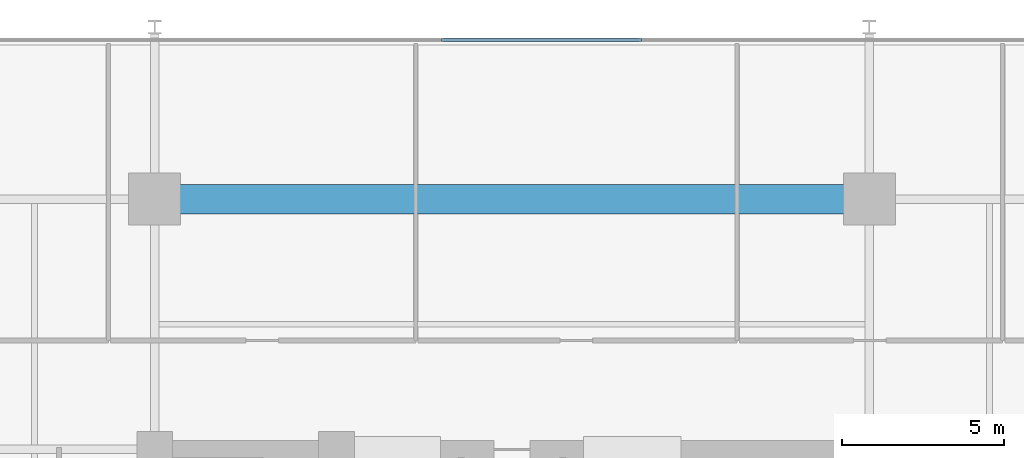
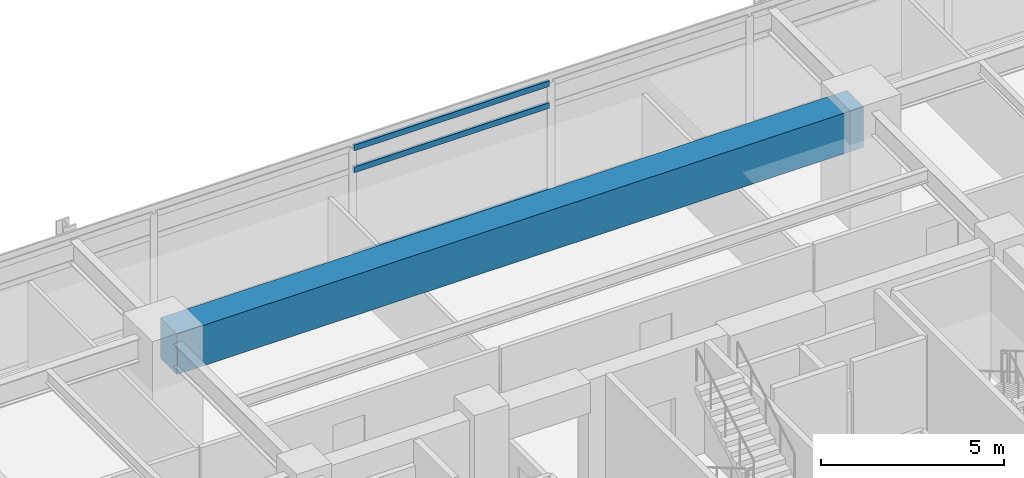
# One storey, part 9 of 22: 3 members, 1 beam, 1 element without a shape of its own.
"""IFC4 building model written with IfcOpenShell, lengths in metres."""

from ifc_helpers import new_model, si_unit, direction, frame, origin, origin_2d, place, context, subcontext, project, spatial, rectangle, hollow_rectangle, extrude, material, material_profile, profile_set, type_object, element, aggregate, save


model = new_model("IFC4")

# Units and contexts
model_context = context("Model", 3, precision=1e-05, world=origin(), true_north=direction((0.0, 1.0)))
body_context = subcontext(model_context, "Body", "Model", "MODEL_VIEW")
ifc_project = project(units=[si_unit("LENGTHUNIT", "METRE"), si_unit("AREAUNIT", "SQUARE_METRE"), si_unit("VOLUMEUNIT", "CUBIC_METRE"), si_unit("PLANEANGLEUNIT", "RADIAN"), si_unit("MASSUNIT", "GRAM", prefix="KILO")], contexts=[model_context])

# Site, building, storey
site_placement = place(None, origin())
site = spatial("IfcSite", under=ifc_project, at=site_placement, CompositionType="ELEMENT")
building_placement = place(site_placement, origin())
building = spatial("IfcBuilding", under=site, at=building_placement, Name="Kovane Verandah Tower", CompositionType="ELEMENT")
storey_placement = place(building_placement, frame((0.0, 0.0, 180.39990234375)))
storey = spatial("IfcBuildingStorey", under=building, at=storey_placement, Name="L42", CompositionType="ELEMENT", Elevation=180.39990234375)

# Beam
ifc_material_1 = material(Name="Concrete C80/95", Category="concrete")
ifc_material_profile_1 = material_profile(ifc_material_1, rectangle(XDim=0.89990234375, YDim=1.35009765625, at=origin_2d()), Name="RCB900x1350")
ifc_profile_set_1 = profile_set([ifc_material_profile_1], Name="Concrete C80/95")
beam_type = type_object("IfcBeamType", Name="BM-TR-900x1350", PredefinedType="BEAM", material=ifc_profile_set_1)
beam_placement = place(storey_placement, frame((29.179931640625, 44.199951171875, 3.025146484375), z_axis=(1.0, 0.0, 0.0), x_axis=(0.0, 1.0, 0.0)))
element("IfcBeam", 1, at=beam_placement, inside=storey, type_object=beam_type, Name="L42 Primary Tower Girder G-RN2", PredefinedType="BEAM", context=body_context, shape_type="SweptSolid", body=[
    extrude(rectangle(XDim=0.89990234375, YDim=1.35009765625, at=origin_2d()), origin(), (0.0, 0.0, 1.0), 21.64013671875),
])

# Curtain wall, members
ifc_material_2 = material(Name="Champagne Anodised Aluminium Frame with Low-E Clear Laminated Glass", Category="aluminium")
curtain_wall_type = type_object("IfcCurtainWallType", Name="CW-SYS-03-MID", PredefinedType="NOTDEFINED", material=ifc_material_2)
curtain_wall_placement = place(storey_placement, origin())
curtain_wall = element("IfcCurtainWall", 2, at=curtain_wall_placement, inside=storey, type_object=curtain_wall_type, Name="L42 N Unitised Curtain Wall", PredefinedType="NOTDEFINED")
ifc_material_3 = material(Name="Champagne Anodised Aluminium 6063-T6", Category="aluminium")
ifc_material_profile_2 = material_profile(ifc_material_3, hollow_rectangle(XDim=0.0849609375, YDim=0.18994140625, WallThickness=0.00390625, at=origin_2d()), Name="AL85x190x4")
ifc_profile_set_2 = profile_set([ifc_material_profile_2], Name="Champagne Anodised Aluminium 6063-T6")
member_type = type_object("IfcMemberType", Name="CW-TRN-85x190", PredefinedType="USERDEFINED", material=ifc_profile_set_2)
member_1_placement = place(storey_placement, frame((43.989990234375, 49.10009765625, 0.050048828125), z_axis=(-1.0, 0.0, 0.0), x_axis=(0.0, -1.0, 0.0)))
member_1 = element("IfcMember", 3, at=member_1_placement, type_object=member_type, Name="L42 N Unitised Curtain Wall Transom TB Bay 4", ObjectType="TRANSOM", PredefinedType="USERDEFINED", context=body_context, shape_type="SweptSolid", body=[
    extrude(hollow_rectangle(XDim=0.0849609375, YDim=0.18994140625, WallThickness=0.00390625, at=origin_2d()), origin(), (0.0, 0.0, 1.0), 6.159912109375),
])
member_2_placement = place(storey_placement, frame((43.989990234375, 49.10009765625, 2.920166015625), z_axis=(-1.0, 0.0, 0.0), x_axis=(0.0, -1.0, 0.0)))
member_2 = element("IfcMember", 4, at=member_2_placement, type_object=member_type, Name="L42 N Unitised Curtain Wall Transom TM Bay 4", ObjectType="TRANSOM", PredefinedType="USERDEFINED", context=body_context, shape_type="SweptSolid", body=[
    extrude(hollow_rectangle(XDim=0.0849609375, YDim=0.18994140625, WallThickness=0.00390625, at=origin_2d()), origin(), (0.0, 0.0, 1.0), 6.159912109375),
])
member_3_placement = place(storey_placement, frame((43.989990234375, 49.10009765625, 3.650146484375), z_axis=(-1.0, 0.0, 0.0), x_axis=(0.0, -1.0, 0.0)))
member_3 = element("IfcMember", 5, at=member_3_placement, type_object=member_type, Name="L42 N Unitised Curtain Wall Transom TT Bay 4", ObjectType="TRANSOM", PredefinedType="USERDEFINED", context=body_context, shape_type="SweptSolid", body=[
    extrude(hollow_rectangle(XDim=0.0849609375, YDim=0.18994140625, WallThickness=0.00390625, at=origin_2d()), origin(), (0.0, 0.0, 1.0), 6.159912109375),
])
aggregate(curtain_wall, [member_1, member_2, member_3])

save(model, "model.ifc")
